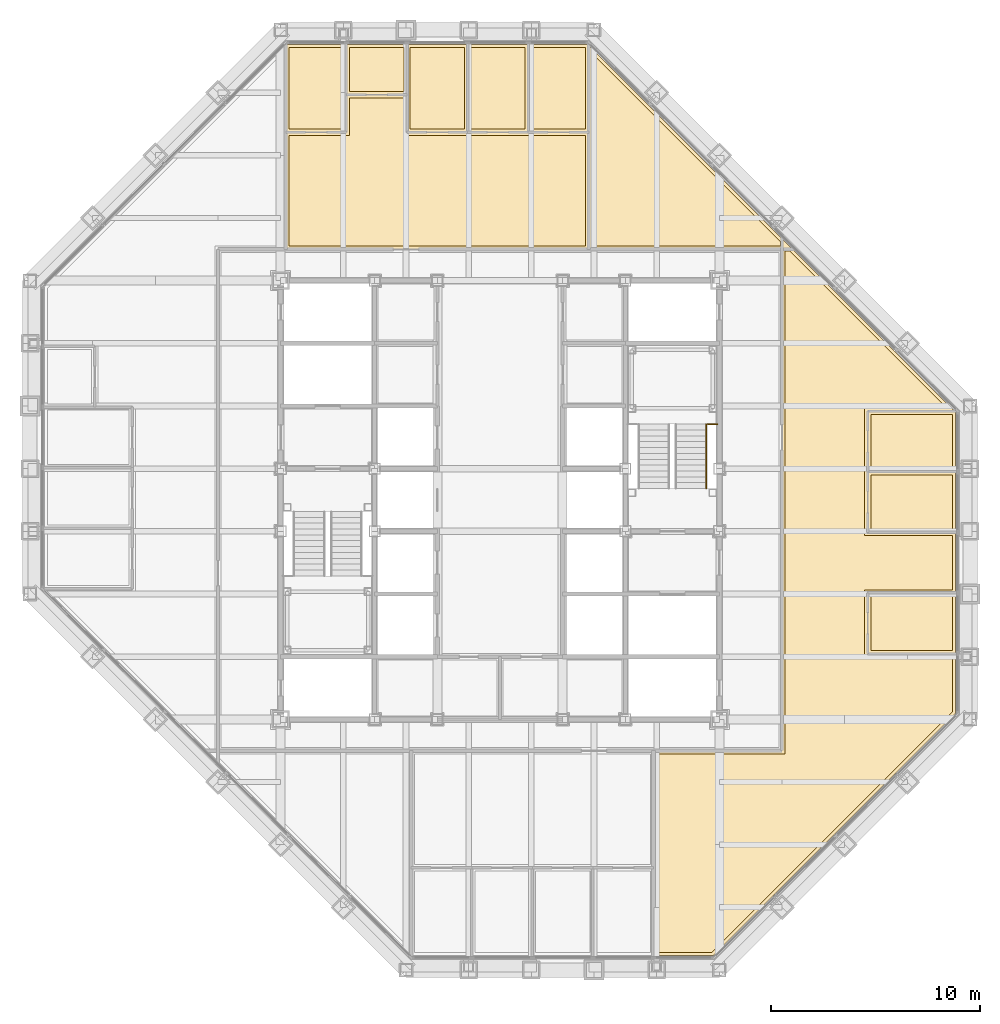
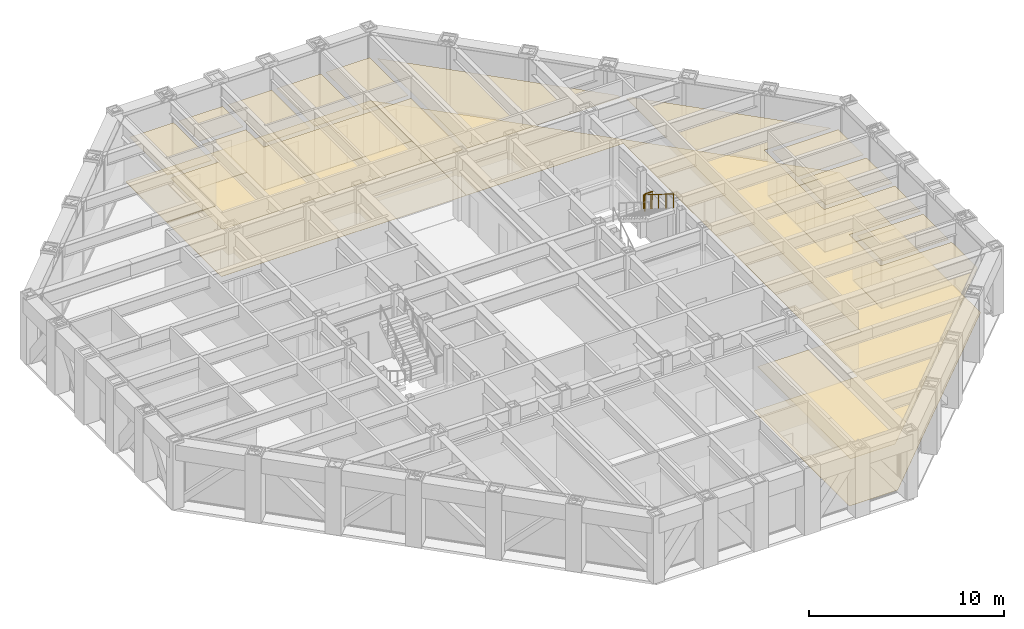
# One storey, part 16 of 16: 21 coverings, 2 railings.
"""IFC4 building model written with IfcOpenShell, lengths in metres."""

from ifc_helpers import new_model, si_unit, direction, frame, origin, origin_2d, place, context, subcontext, project, spatial, polyline, circle, outline, extrude, material, layer, layer_set, type_object, element, save


model = new_model("IFC4")

# Units and contexts
model_context = context("Model", 3, precision=1e-05, world=origin(), true_north=direction((0.0, 1.0)))
body_context = subcontext(model_context, "Body", "Model", "MODEL_VIEW")
ifc_project = project(units=[si_unit("LENGTHUNIT", "METRE"), si_unit("AREAUNIT", "SQUARE_METRE"), si_unit("VOLUMEUNIT", "CUBIC_METRE"), si_unit("PLANEANGLEUNIT", "RADIAN"), si_unit("MASSUNIT", "GRAM", prefix="KILO")], contexts=[model_context])

# Site, building, storey
site_placement = place(None, origin())
site = spatial("IfcSite", under=ifc_project, at=site_placement, CompositionType="ELEMENT")
building_placement = place(site_placement, origin())
building = spatial("IfcBuilding", under=site, at=building_placement, Name="Chuquiago Exchange Tower", CompositionType="ELEMENT")
storey_placement = place(building_placement, frame((0.0, 0.0, 247.5)))
storey = spatial("IfcBuildingStorey", under=building, at=storey_placement, Name="L55", CompositionType="ELEMENT", Elevation=247.5)

# Coverings
ifc_material_1 = material(Name="Mineral fibre tile, 600 x 600, on pale metal grid", Category="mineral fibre")
ifc_layer_1 = layer(ifc_material_1, 0.02001953125)
ifc_layer_set_1 = layer_set([ifc_layer_1], Name="CL1 suspended tile ceiling 20")
covering_type_1 = type_object("IfcCoveringType", Name="CL1 suspended tile ceiling 20", PredefinedType="CEILING", material=ifc_layer_set_1)
covering_1_placement = place(storey_placement, frame((0.0, 0.0, 2.800048828125)))
element("IfcCovering", 1, at=covering_1_placement, inside=storey, type_object=covering_type_1, Name="Ceiling Reception", PredefinedType="CEILING", context=body_context, shape_type="SweptSolid", body=[
    extrude(outline(polyline([(40.25, 15.299072265625), (40.25, 17.899658203125), (44.14990234375, 17.899658203125), (44.14990234375, 15.299072265625), (40.25, 15.299072265625)])), origin(), (0.0, 0.0, 1.0), 0.02001953125),
])
covering_2_placement = place(storey_placement, frame((0.0, 0.0, 2.800048828125)))
element("IfcCovering", 2, at=covering_2_placement, inside=storey, type_object=covering_type_1, Name="Ceiling Office", PredefinedType="CEILING", context=body_context, shape_type="SweptSolid", body=[
    extrude(outline(polyline([(40.25, 21.100341796875), (40.25, 23.700927734375), (44.14990234375, 23.700927734375), (44.14990234375, 21.100341796875), (40.25, 21.100341796875)])), origin(), (0.0, 0.0, 1.0), 0.02001953125),
])
covering_3_placement = place(storey_placement, frame((0.0, 0.0, 2.800048828125)))
element("IfcCovering", 3, at=covering_3_placement, inside=storey, type_object=covering_type_1, Name="Ceiling Office", PredefinedType="CEILING", context=body_context, shape_type="SweptSolid", body=[
    extrude(outline(polyline([(44.14990234375, 24.0009765625), (40.25, 24.0009765625), (40.25, 26.6015625), (44.14990234375, 26.6015625), (44.14990234375, 24.0009765625)])), origin(), (0.0, 0.0, 1.0), 0.02001953125),
])
covering_4_placement = place(storey_placement, frame((0.0, 0.0, 2.800048828125)))
element("IfcCovering", 4, at=covering_4_placement, inside=storey, type_object=covering_type_1, Name="Ceiling Reception", PredefinedType="CEILING", context=body_context, shape_type="SweptSolid", body=[
    extrude(outline(polyline([(14.9990234375, 44.14990234375), (14.9990234375, 40.25), (12.3984375, 40.25), (12.3984375, 44.14990234375), (14.9990234375, 44.14990234375)])), origin(), (0.0, 0.0, 1.0), 0.02001953125),
])
covering_5_placement = place(storey_placement, frame((0.0, 0.0, 2.800048828125)))
element("IfcCovering", 5, at=covering_5_placement, inside=storey, type_object=covering_type_1, Name="Ceiling Focus room", PredefinedType="CEILING", context=body_context, shape_type="SweptSolid", body=[
    extrude(outline(polyline([(17.899658203125, 42.050048828125), (15.299072265625, 42.050048828125), (15.299072265625, 44.14990234375), (17.899658203125, 44.14990234375), (17.899658203125, 42.050048828125)])), origin(), (0.0, 0.0, 1.0), 0.02001953125),
])
covering_6_placement = place(storey_placement, frame((0.0, 0.0, 2.800048828125)))
element("IfcCovering", 6, at=covering_6_placement, inside=storey, type_object=covering_type_1, Name="Ceiling Office", PredefinedType="CEILING", context=body_context, shape_type="SweptSolid", body=[
    extrude(outline(polyline([(20.80029296875, 40.25), (18.19970703125, 40.25), (18.19970703125, 44.14990234375), (20.80029296875, 44.14990234375), (20.80029296875, 40.25)])), origin(), (0.0, 0.0, 1.0), 0.02001953125),
])
covering_7_placement = place(storey_placement, frame((0.0, 0.0, 2.800048828125)))
element("IfcCovering", 7, at=covering_7_placement, inside=storey, type_object=covering_type_1, Name="Ceiling Office", PredefinedType="CEILING", context=body_context, shape_type="SweptSolid", body=[
    extrude(outline(polyline([(23.700927734375, 40.25), (21.100341796875, 40.25), (21.100341796875, 44.14990234375), (23.700927734375, 44.14990234375), (23.700927734375, 40.25)])), origin(), (0.0, 0.0, 1.0), 0.02001953125),
])
covering_8_placement = place(storey_placement, frame((0.0, 0.0, 2.800048828125)))
element("IfcCovering", 8, at=covering_8_placement, inside=storey, type_object=covering_type_1, Name="Ceiling Office", PredefinedType="CEILING", context=body_context, shape_type="SweptSolid", body=[
    extrude(outline(polyline([(26.6015625, 40.25), (24.0009765625, 40.25), (24.0009765625, 44.14990234375), (26.6015625, 44.14990234375), (26.6015625, 40.25)])), origin(), (0.0, 0.0, 1.0), 0.02001953125),
])
covering_9_placement = place(storey_placement, frame((0.0, 0.0, 2.800048828125)))
element("IfcCovering", 9, at=covering_9_placement, inside=storey, type_object=covering_type_1, Name="Ceiling Open office north suite", PredefinedType="CEILING", context=body_context, shape_type="SweptSolid", body=[
    extrude(outline(polyline([(15.299072265625, 41.75), (17.899658203125, 41.75), (17.899658203125, 39.949951171875), (26.60107421875, 39.949951171875), (26.60107421875, 34.650390625), (12.39892578125, 34.650390625), (12.39892578125, 39.949951171875), (15.299072265625, 39.949951171875), (15.299072265625, 41.75)])), origin(), (0.0, 0.0, 1.0), 0.02001953125),
])
covering_10_placement = place(storey_placement, frame((0.0, 0.0, 2.800048828125)))
element("IfcCovering", 10, at=covering_10_placement, inside=storey, type_object=covering_type_1, Name="Ceiling Open office east suite", PredefinedType="CEILING", context=body_context, shape_type="SweptSolid", body=[
    extrude(outline(polyline([(43.896484375, 26.901611328125), (39.949951171875, 26.901611328125), (39.949951171875, 20.80029296875), (44.14990234375, 20.80029296875), (44.14990234375, 18.19970703125), (39.949951171875, 18.19970703125), (39.949951171875, 14.9990234375), (44.14990234375, 14.9990234375), (44.14990234375, 12.35205078125), (32.64794921875, 0.85009765625), (30.00146484375, 0.85009765625), (30.00146484375, 10.349609375), (36.150390625, 10.349853515625), (36.150390625, 34.4150390625), (36.383056640625, 34.4150390625), (43.896484375, 26.901611328125)])), origin(), (0.0, 0.0, 1.0), 0.02001953125),
])
covering_11_placement = place(storey_placement, frame((0.0, 0.0, 2.800048828125)))
element("IfcCovering", 11, at=covering_11_placement, inside=storey, type_object=covering_type_1, Name="Ceiling Open office east suite", PredefinedType="CEILING", context=body_context, shape_type="SweptSolid", body=[
    extrude(outline(polyline([(26.902099609375, 34.650390625), (26.902099609375, 43.89599609375), (35.9150390625, 34.883056640625), (35.9150390625, 34.64990234375), (26.902099609375, 34.650390625)])), origin(), (0.0, 0.0, 1.0), 0.02001953125),
])
ifc_material_2 = material(Name="Carpet tile, 500 x 500, on the floor slab", Category="textile")
ifc_layer_2 = layer(ifc_material_2, 0.010009765625)
ifc_layer_set_2 = layer_set([ifc_layer_2], Name="FL1 carpet tile 10")
covering_type_2 = type_object("IfcCoveringType", Name="FL1 carpet tile 10", PredefinedType="FLOORING", material=ifc_layer_set_2)
covering_12_placement = place(storey_placement, origin())
element("IfcCovering", 12, at=covering_12_placement, inside=storey, type_object=covering_type_2, Name="Floor finish Office", PredefinedType="FLOORING", context=body_context, shape_type="SweptSolid", body=[
    extrude(outline(polyline([(44.300048828125, 20.9501953125), (40.10009765625, 20.9501953125), (40.10009765625, 23.850830078125), (44.300048828125, 23.850830078125), (44.300048828125, 20.9501953125)])), origin(), (0.0, 0.0, 1.0), 0.010009765625),
])
covering_13_placement = place(storey_placement, origin())
element("IfcCovering", 13, at=covering_13_placement, inside=storey, type_object=covering_type_2, Name="Floor finish Office", PredefinedType="FLOORING", context=body_context, shape_type="SweptSolid", body=[
    extrude(outline(polyline([(44.300048828125, 26.710205078125), (44.300048828125, 23.850830078125), (40.10009765625, 23.850830078125), (40.10009765625, 26.75146484375), (44.258544921875, 26.75146484375), (44.300048828125, 26.710205078125)])), origin(), (0.0, 0.0, 1.0), 0.010009765625),
])
covering_14_placement = place(storey_placement, origin())
element("IfcCovering", 14, at=covering_14_placement, inside=storey, type_object=covering_type_2, Name="Floor finish Focus room", PredefinedType="FLOORING", context=body_context, shape_type="SweptSolid", body=[
    extrude(outline(polyline([(18.0498046875, 44.300048828125), (18.0498046875, 41.89990234375), (15.149169921875, 41.89990234375), (15.149169921875, 44.300048828125), (18.0498046875, 44.300048828125)])), origin(), (0.0, 0.0, 1.0), 0.010009765625),
])
covering_15_placement = place(storey_placement, origin())
element("IfcCovering", 15, at=covering_15_placement, inside=storey, type_object=covering_type_2, Name="Floor finish Office", PredefinedType="FLOORING", context=body_context, shape_type="SweptSolid", body=[
    extrude(outline(polyline([(20.9501953125, 44.300048828125), (20.9501953125, 40.10009765625), (18.0498046875, 40.10009765625), (18.0498046875, 44.300048828125), (20.9501953125, 44.300048828125)])), origin(), (0.0, 0.0, 1.0), 0.010009765625),
])
covering_16_placement = place(storey_placement, origin())
element("IfcCovering", 16, at=covering_16_placement, inside=storey, type_object=covering_type_2, Name="Floor finish Office", PredefinedType="FLOORING", context=body_context, shape_type="SweptSolid", body=[
    extrude(outline(polyline([(23.850830078125, 44.300048828125), (23.850830078125, 40.10009765625), (20.9501953125, 40.10009765625), (20.9501953125, 44.300048828125), (23.850830078125, 44.300048828125)])), origin(), (0.0, 0.0, 1.0), 0.010009765625),
])
covering_17_placement = place(storey_placement, origin())
element("IfcCovering", 17, at=covering_17_placement, inside=storey, type_object=covering_type_2, Name="Floor finish Office", PredefinedType="FLOORING", context=body_context, shape_type="SweptSolid", body=[
    extrude(outline(polyline([(26.710205078125, 44.300048828125), (26.75146484375, 44.258544921875), (26.75146484375, 40.10009765625), (23.850830078125, 40.10009765625), (23.850830078125, 44.300048828125), (26.710205078125, 44.300048828125)])), origin(), (0.0, 0.0, 1.0), 0.010009765625),
])
covering_18_placement = place(storey_placement, origin())
element("IfcCovering", 18, at=covering_18_placement, inside=storey, type_object=covering_type_2, Name="Floor finish Open office north suite", PredefinedType="FLOORING", context=body_context, shape_type="SweptSolid", body=[
    extrude(outline(polyline([(15.149169921875, 40.10009765625), (15.149169921875, 41.89990234375), (18.0498046875, 41.89990234375), (18.0498046875, 40.10009765625), (26.7509765625, 40.10009765625), (26.7509765625, 34.50048828125), (12.2490234375, 34.50048828125), (12.2490234375, 40.10009765625), (15.149169921875, 40.10009765625)])), origin(), (0.0, 0.0, 1.0), 0.010009765625),
])
covering_19_placement = place(storey_placement, origin())
element("IfcCovering", 19, at=covering_19_placement, inside=storey, type_object=covering_type_2, Name="Floor finish Open office east suite", PredefinedType="FLOORING", context=body_context, shape_type="SweptSolid", body=[
    extrude(outline(polyline([(44.258544921875, 26.75146484375), (40.10009765625, 26.75146484375), (40.10009765625, 20.9501953125), (44.300048828125, 20.9501953125), (44.300048828125, 18.0498046875), (40.10009765625, 18.0498046875), (40.10009765625, 15.149169921875), (44.300048828125, 15.149169921875), (44.300048828125, 12.289794921875), (32.710205078125, 0.699951171875), (29.851318359375, 0.699951171875), (29.851318359375, 10.49951171875), (36.00048828125, 10.5), (36.00048828125, 34.5), (26.751953125, 34.50048828125), (26.751953125, 44.258056640625), (44.258544921875, 26.75146484375)])), origin(), (0.0, 0.0, 1.0), 0.010009765625),
])
ifc_material_3 = material(Name="Porcelain floor tile, 600 x 600, on adhesive bed", Category="ceramic")
ifc_layer_3 = layer(ifc_material_3, 0.014892578125)
ifc_layer_set_3 = layer_set([ifc_layer_3], Name="FL2 porcelain tile 15")
covering_type_3 = type_object("IfcCoveringType", Name="FL2 porcelain tile 15", PredefinedType="FLOORING", material=ifc_layer_set_3)
covering_20_placement = place(storey_placement, origin())
element("IfcCovering", 20, at=covering_20_placement, inside=storey, type_object=covering_type_3, Name="Floor finish Reception", PredefinedType="FLOORING", context=body_context, shape_type="SweptSolid", body=[
    extrude(outline(polyline([(44.300048828125, 15.149169921875), (40.10009765625, 15.149169921875), (40.10009765625, 18.0498046875), (44.300048828125, 18.0498046875), (44.300048828125, 15.149169921875)])), origin(), (0.0, 0.0, 1.0), 0.014892578125),
])
covering_21_placement = place(storey_placement, origin())
element("IfcCovering", 21, at=covering_21_placement, inside=storey, type_object=covering_type_3, Name="Floor finish Reception", PredefinedType="FLOORING", context=body_context, shape_type="SweptSolid", body=[
    extrude(outline(polyline([(12.289794921875, 44.300048828125), (15.149169921875, 44.300048828125), (15.149169921875, 40.10009765625), (12.24853515625, 40.10009765625), (12.24853515625, 44.258544921875), (12.289794921875, 44.300048828125)])), origin(), (0.0, 0.0, 1.0), 0.014892578125),
])

# Railings
ifc_material_4 = material(Name="Pale metal guard with safety glass infill", Category="glass")
railing_type_1 = type_object("IfcRailingType", Name="GR1 guard 1100", PredefinedType="GUARDRAIL", material=ifc_material_4)
railing_1_placement = place(storey_placement, frame((32.445068359375, 26.1298828125, 2.10009765625)))
element("IfcRailing", 22, at=railing_1_placement, inside=storey, type_object=railing_type_1, Name="Guard ST2 L55 landing 2", PredefinedType="GUARDRAIL", context=body_context, shape_type="SweptSolid", body=[
    extrude(circle(Radius=0.02392578125, at=origin_2d()), frame((0.0, 0.0, 1.076171875), z_axis=(1.0, 0.0, 0.0), x_axis=(0.0, 1.0, 0.0)), (0.0, 0.0, 1.0), 0.454833984375),
    extrude(circle(Radius=0.02099609375, at=origin_2d()), origin(), (0.0, 0.0, 1.0), 1.052001953125),
    extrude(circle(Radius=0.02099609375, at=origin_2d()), frame((0.454833984375, 0.0, 0.0)), (0.0, 0.0, 1.0), 1.052001953125),
])
ifc_material_5 = material(Name="Pale metal handrail", Category="steel")
railing_type_2 = type_object("IfcRailingType", Name="HR1 handrail 900", PredefinedType="HANDRAIL", material=ifc_material_5)
railing_2_placement = place(storey_placement, frame((32.364990234375, 26.1298828125, 2.27490234375)))
element("IfcRailing", 23, at=railing_2_placement, inside=storey, type_object=railing_type_2, Name="Handrail ST2 L55 flight 2", PredefinedType="HANDRAIL", context=body_context, shape_type="SweptSolid", body=[
    extrude(circle(Radius=0.02392578125, at=origin_2d()), frame((0.0, 0.0, 0.8759765625), z_axis=(0.0, -0.847979421464, 0.530029150871), x_axis=(1.0, 0.0, 0.0)), (0.0, 0.0, 1.0), 3.632080078125),
    extrude(circle(Radius=0.02099609375, at=origin_2d()), origin(), (0.0, 0.0, 1.0), 0.851806640625),
    extrude(circle(Radius=0.02099609375, at=origin_2d()), frame((0.0, -0.77001953125, 0.481201171875)), (0.0, 0.0, 1.0), 0.851806640625),
    extrude(circle(Radius=0.02099609375, at=origin_2d()), frame((0.0, -1.5400390625, 0.96240234375)), (0.0, 0.0, 1.0), 0.851806640625),
    extrude(circle(Radius=0.02099609375, at=origin_2d()), frame((0.0, -2.309814453125, 1.44384765625)), (0.0, 0.0, 1.0), 0.851806640625),
    extrude(circle(Radius=0.02099609375, at=origin_2d()), frame((0.0, -3.079833984375, 1.925048828125)), (0.0, 0.0, 1.0), 0.851806640625),
])

save(model, "model.ifc")
